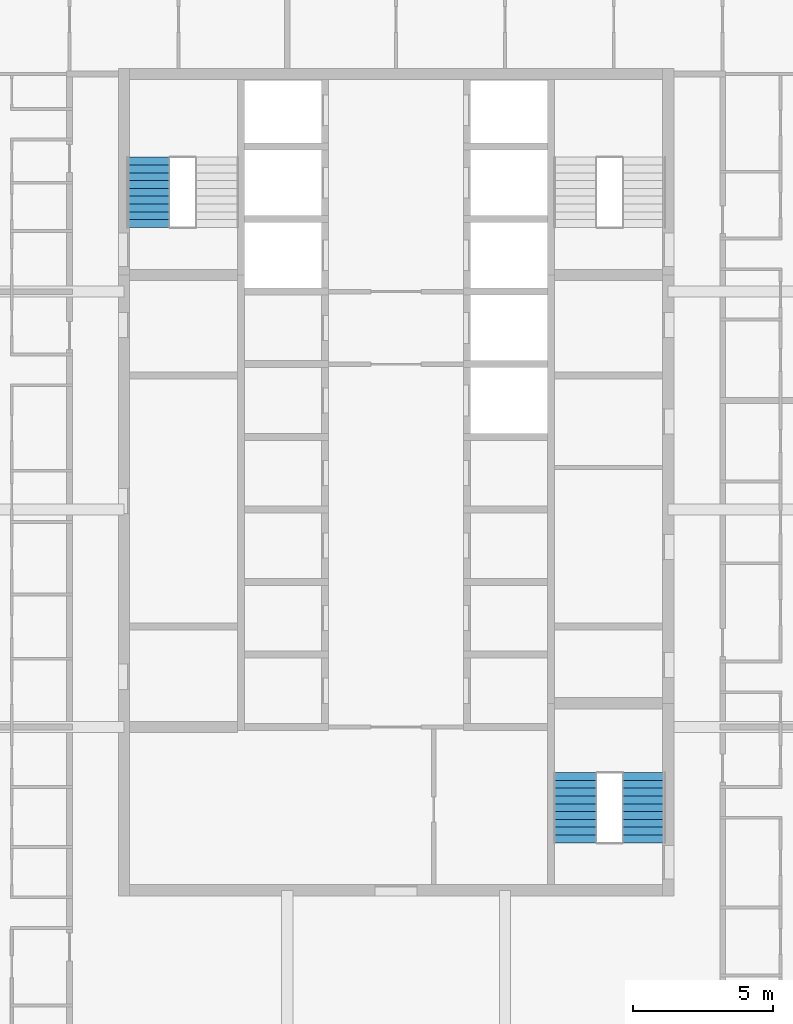
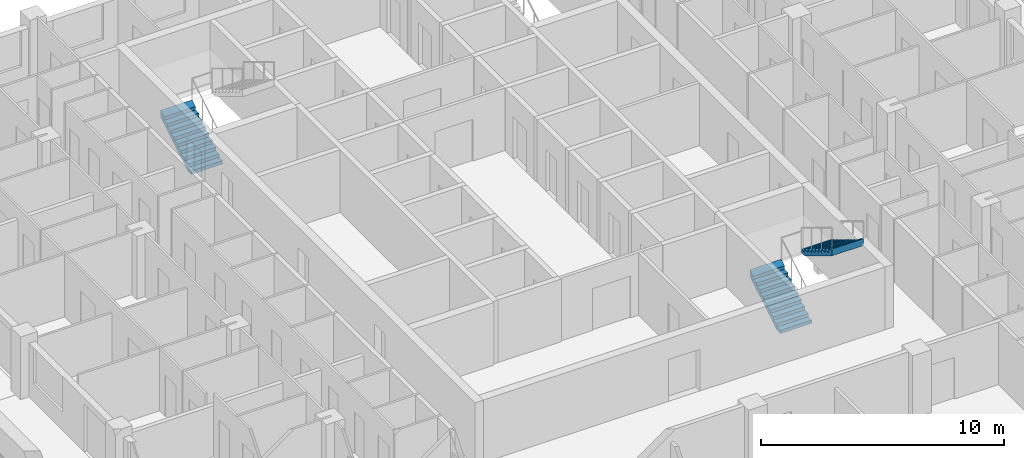
# One storey, part 13 of 17: 3 stair flights, 2 elements without a shape of their own.
"""IFC4 building model written with IfcOpenShell, lengths in metres."""

import ifcopenshell
import ifcopenshell.guid

model = None  # the IFC model being written
_history = None  # IfcOwnerHistory: only IFC2X3 demands one
_inside = {}  # id of a spatial element -> (the spatial element, [elements in it])
_under = {}  # id of a project, library or spatial element -> (it, [spatial elements below it])
_declared = {}  # id of a project -> (the project, [libraries it declares])
_typed = {}  # id of a type object -> (the type object, [elements of that type])
_made_of = {}  # id of a material, layer set ... -> (it, [elements and type objects made of it])


def new_model(schema):
    """Start an empty IFC model of exactly this schema.

    Asked for "IFC4X3", IfcOpenShell would pick the latest addendum, in which some entities
    have other attributes; the version numbers below select the first issue.
    IFC2X3 requires an IfcOwnerHistory on every rooted entity: one is made here for all.
    """
    global model, _history
    if schema == "IFC4X3":
        model = ifcopenshell.file(schema_version=(4, 3, 0, 0))
    else:
        model = ifcopenshell.file(schema=schema)
    _inside.clear()
    _under.clear()
    _declared.clear()
    _typed.clear()
    _made_of.clear()
    _history = None
    if model.schema == "IFC2X3":
        org = make("IfcOrganization", Name="unknown")
        user = make(
            "IfcPersonAndOrganization",
            ThePerson=make("IfcPerson", FamilyName="unknown"),
            TheOrganization=org,
        )
        app = make(
            "IfcApplication",
            ApplicationDeveloper=org,
            Version="unknown",
            ApplicationFullName="unknown",
            ApplicationIdentifier="unknown",
        )
        _history = make(
            "IfcOwnerHistory",
            OwningUser=user,
            OwningApplication=app,
            ChangeAction="ADDED",
            CreationDate=0,
        )
    return model


def make(cls, **values):
    """One entity of the class cls with the attributes given. An attribute that is None is left unset."""
    return model.create_entity(
        cls, **{name: value for name, value in values.items() if value is not None}
    )


def rooted(cls, **values):
    """An entity with a GlobalId (a new one), such as an element, a storey or a relation."""
    return make(cls, GlobalId=ifcopenshell.guid.new(), OwnerHistory=_history, **values)


def si_unit(unit_type, name, prefix=None):
    """IfcSIUnit, for example si_unit("LENGTHUNIT", "METRE", prefix="MILLI")."""
    return make("IfcSIUnit", UnitType=unit_type, Prefix=prefix, Name=name)


def assignment(units):
    """IfcUnitAssignment: the units of a project."""
    return None if units is None else make("IfcUnitAssignment", Units=units)


def point(xyz):
    """IfcCartesianPoint."""
    return None if xyz is None else make("IfcCartesianPoint", Coordinates=xyz)


def direction(xyz):
    """IfcDirection."""
    return None if xyz is None else make("IfcDirection", DirectionRatios=xyz)


def frame(location, z_axis=None, x_axis=None):
    """IfcAxis2Placement3D, a coordinate frame: its origin and axes. An axis left out is left unset."""
    return make(
        "IfcAxis2Placement3D",
        Location=point(location),
        Axis=direction(z_axis),
        RefDirection=direction(x_axis),
    )


def origin():
    """The frame at (0, 0, 0) with its axes left unset."""
    return frame((0.0, 0.0, 0.0))


def place(relative_to, where):
    """IfcLocalPlacement: puts the frame where relative to a parent placement (None: the world)."""
    return make(
        "IfcLocalPlacement", PlacementRelTo=relative_to, RelativePlacement=where
    )


def context(
    kind, dimensions, precision=None, world=None, true_north=None, identifier=None
):
    """IfcGeometricRepresentationContext, for example the 3D "Model" context."""
    return make(
        "IfcGeometricRepresentationContext",
        ContextIdentifier=identifier,
        ContextType=kind,
        CoordinateSpaceDimension=dimensions,
        Precision=precision,
        WorldCoordinateSystem=world,
        TrueNorth=true_north,
    )


def subcontext(parent, identifier, kind, view, scale=None):
    """IfcGeometricRepresentationSubContext, for example "Body" below "Model"."""
    return make(
        "IfcGeometricRepresentationSubContext",
        ContextIdentifier=identifier,
        ContextType=kind,
        ParentContext=parent,
        TargetScale=scale,
        TargetView=view,
    )


def project(units=None, contexts=None):
    """IfcProject with its units and contexts."""
    return rooted(
        "IfcProject",
        Name="project",
        RepresentationContexts=contexts,
        UnitsInContext=assignment(units),
    )


def spatial(cls, under=None, at=None, **own):
    """A site, building, storey or space (cls), placed at a placement, below another one or the project."""
    s = rooted(cls, ObjectPlacement=at, **own)
    if under is not None:
        _under.setdefault(under.id(), (under, []))[1].append(s)
    return s


def point_list(points):
    """IfcCartesianPointList2D or 3D."""
    cls = (
        "IfcCartesianPointList2D" if len(points[0]) == 2 else "IfcCartesianPointList3D"
    )
    return make(cls, CoordList=points)


def triangles(points, corners, closed=None, point_numbers=None):
    """IfcTriangulatedFaceSet: each triangle names its three corners, points numbered from 1."""
    return make(
        "IfcTriangulatedFaceSet",
        Coordinates=point_list(points),
        Closed=closed,
        CoordIndex=corners,
        PnIndex=point_numbers,
    )


def shape(context_of_items, identifier, shape_type, items):
    """IfcShapeRepresentation: the items that make up one representation, for example the "Body"."""
    return make(
        "IfcShapeRepresentation",
        ContextOfItems=context_of_items,
        RepresentationIdentifier=identifier,
        RepresentationType=shape_type,
        Items=items,
    )


def material(Name=None, Category=None):
    """IfcMaterial."""
    return make("IfcMaterial", Name=Name, Category=Category)


def made_of(thing, what):
    """Note that an element or type object is made of a material, layer set ...; save() writes the relation."""
    if what is not None:
        _made_of.setdefault(what.id(), (what, []))[1].append(thing)
    return thing


def type_object(cls, material=None, **own):
    """A type object (cls), such as IfcWallType, which elements share."""
    return made_of(rooted(cls, **own), material)


def element(
    cls,
    number,
    at=None,
    inside=None,
    cuts=None,
    type_object=None,
    material=None,
    context=None,
    identifier="Body",
    shape_type=None,
    held_by="IfcProductDefinitionShape",
    body=None,
    shapes=None,
    **own,
):
    """One element of the class cls, such as IfcWall. Its Tag is "e" and its number.

    at: its placement. inside: the storey or other place that contains it. cuts: it is an
    opening in that element (IfcRelVoidsElement). A single representation is given by context,
    identifier, shape_type and body (its items); several are given by shapes. held_by: the class
    of the entity that holds the representations. save() writes the other relations.
    """
    e = rooted(cls, Tag="e%d" % number, ObjectPlacement=at, **own)
    if body is not None:
        shapes = [shape(context, identifier, shape_type, body)]
    if shapes is not None:
        e.Representation = make(held_by, Representations=shapes)
    if inside is not None:
        _inside.setdefault(inside.id(), (inside, []))[1].append(e)
    if cuts is not None:
        rooted(
            "IfcRelVoidsElement", RelatingBuildingElement=cuts, RelatedOpeningElement=e
        )
    if type_object is not None:
        _typed.setdefault(type_object.id(), (type_object, []))[1].append(e)
    return made_of(e, material)


def aggregate(whole, parts):
    """IfcRelAggregates: a whole, such as a stair, and the parts it consists of."""
    return rooted("IfcRelAggregates", RelatingObject=whole, RelatedObjects=parts)


def save(model, path):
    """Write the relations noted so far, then the file.

    IfcRelAggregates (storeys below a building ...), IfcRelContainedInSpatialStructure (elements
    in a storey), IfcRelDefinesByType, IfcRelAssociatesMaterial and IfcRelDeclares: one each for
    every whole, place, type object, material and project.
    """
    for whole, parts in _under.values():
        aggregate(whole, parts)
    for where, things in _inside.values():
        rooted(
            "IfcRelContainedInSpatialStructure",
            RelatedElements=things,
            RelatingStructure=where,
        )
    for kind, things in _typed.values():
        rooted("IfcRelDefinesByType", RelatedObjects=things, RelatingType=kind)
    for what, things in _made_of.values():
        rooted("IfcRelAssociatesMaterial", RelatedObjects=things, RelatingMaterial=what)
    for by, libraries in _declared.values():
        rooted("IfcRelDeclares", RelatingContext=by, RelatedDefinitions=libraries)
    model.write(path)


model = new_model("IFC4")

# Units and contexts
model_context = context("Model", 3, precision=1e-05, world=origin(), true_north=direction((0.0, 1.0)))
body_context = subcontext(model_context, "Body", "Model", "MODEL_VIEW")
ifc_project = project(units=[si_unit("LENGTHUNIT", "METRE"), si_unit("AREAUNIT", "SQUARE_METRE"), si_unit("VOLUMEUNIT", "CUBIC_METRE"), si_unit("PLANEANGLEUNIT", "RADIAN"), si_unit("MASSUNIT", "GRAM", prefix="KILO")], contexts=[model_context])

# Site, building, storey
site_placement = place(None, origin())
site = spatial("IfcSite", under=ifc_project, at=site_placement, CompositionType="ELEMENT")
building_placement = place(site_placement, origin())
building = spatial("IfcBuilding", under=site, at=building_placement, Name="Ludao Terraces", CompositionType="ELEMENT")
storey_placement = place(building_placement, frame((0.0, 0.0, 210.89990234375)))
storey = spatial("IfcBuildingStorey", under=building, at=storey_placement, Name="L57", CompositionType="ELEMENT", Elevation=210.89990234375)

# Stair, stair flight
ifc_material = material(Name="Concrete C40", Category="concrete")
stair_type = type_object("IfcStairType", Name="INT Stair", PredefinedType="HALF_TURN_STAIR", material=ifc_material)
stair_1_placement = place(storey_placement, origin())
stair_1 = element("IfcStair", 1, at=stair_1_placement, inside=storey, type_object=stair_type, Name="EXIT STAIR 1", PredefinedType="HALF_TURN_STAIR")
stair_flight_type = type_object("IfcStairFlightType", Name="INT Stair flight", PredefinedType="STRAIGHT", material=ifc_material)
stair_flight_1_placement = place(storey_placement, frame((76.125, 79.0, 0.0), z_axis=(0.0, 0.0, 1.0), x_axis=(0.0, 1.0, 0.0)))
stair_flight_1 = element("IfcStairFlight", 2, at=stair_flight_1_placement, type_object=stair_flight_type, Name="ST1 flight 1", NumberOfRisers=10, NumberOfTreads=9, PredefinedType="STRAIGHT", RiserHeight=0.17, TreadLength=0.28, context=body_context, shape_type="Tessellation", body=[
    triangles([(0.0, -0.75, 0.0), (0.0, -0.5, 0.0), (0.0, -0.25, 0.0), (0.0, 0.0, 0.0), (0.0, 0.25, 0.0), (0.0, 0.5, 0.0), (0.0, 0.75, 0.0), (0.0, -0.75, 0.169921875), (0.0, -0.5, 0.169921875), (0.0, -0.25, 0.169921875), (0.0, 0.0, 0.169921875), (0.0, 0.25, 0.169921875), (0.0, 0.5, 0.169921875), (0.0, 0.75, 0.169921875), (0.280029296875, -0.75, 0.169921875), (0.280029296875, -0.5, 0.169921875), (0.280029296875, -0.25, 0.169921875), (0.280029296875, 0.0, 0.169921875), (0.280029296875, 0.25, 0.169921875), (0.280029296875, 0.5, 0.169921875), (0.280029296875, 0.75, 0.169921875), (0.280029296875, -0.75, 0.340087890625), (0.280029296875, -0.5, 0.340087890625), (0.280029296875, -0.25, 0.340087890625), (0.280029296875, 0.0, 0.340087890625), (0.280029296875, 0.25, 0.340087890625), (0.280029296875, 0.5, 0.340087890625), (0.280029296875, 0.75, 0.340087890625), (0.56005859375, -0.75, 0.340087890625), (0.56005859375, -0.5, 0.340087890625), (0.56005859375, -0.25, 0.340087890625), (0.56005859375, 0.0, 0.340087890625), (0.56005859375, 0.25, 0.340087890625), (0.56005859375, 0.5, 0.340087890625), (0.56005859375, 0.75, 0.340087890625), (0.56005859375, -0.75, 0.510009765625), (0.56005859375, -0.5, 0.510009765625), (0.56005859375, -0.25, 0.510009765625), (0.56005859375, 0.0, 0.510009765625), (0.56005859375, 0.25, 0.510009765625), (0.56005859375, 0.5, 0.510009765625), (0.56005859375, 0.75, 0.510009765625), (0.840087890625, -0.75, 0.510009765625), (0.840087890625, -0.5, 0.510009765625), (0.840087890625, -0.25, 0.510009765625), (0.840087890625, 0.0, 0.510009765625), (0.840087890625, 0.25, 0.510009765625), (0.840087890625, 0.5, 0.510009765625), (0.840087890625, 0.75, 0.510009765625), (0.840087890625, -0.75, 0.679931640625), (0.840087890625, -0.5, 0.679931640625), (0.840087890625, -0.25, 0.679931640625), (0.840087890625, 0.0, 0.679931640625), (0.840087890625, 0.25, 0.679931640625), (0.840087890625, 0.5, 0.679931640625), (0.840087890625, 0.75, 0.679931640625), (1.1201171875, -0.75, 0.679931640625), (1.1201171875, -0.5, 0.679931640625), (1.1201171875, -0.25, 0.679931640625), (1.1201171875, 0.0, 0.679931640625), (1.1201171875, 0.25, 0.679931640625), (1.1201171875, 0.5, 0.679931640625), (1.1201171875, 0.75, 0.679931640625), (1.1201171875, -0.75, 0.85009765625), (1.1201171875, -0.5, 0.85009765625), (1.1201171875, -0.25, 0.85009765625), (1.1201171875, 0.0, 0.85009765625), (1.1201171875, 0.25, 0.85009765625), (1.1201171875, 0.5, 0.85009765625), (1.1201171875, 0.75, 0.85009765625), (1.39990234375, -0.75, 0.85009765625), (1.39990234375, -0.5, 0.85009765625), (1.39990234375, -0.25, 0.85009765625), (1.39990234375, 0.0, 0.85009765625), (1.39990234375, 0.25, 0.85009765625), (1.39990234375, 0.5, 0.85009765625), (1.39990234375, 0.75, 0.85009765625), (1.39990234375, -0.75, 1.02001953125), (1.39990234375, -0.5, 1.02001953125), (1.39990234375, -0.25, 1.02001953125), (1.39990234375, 0.0, 1.02001953125), (1.39990234375, 0.25, 1.02001953125), (1.39990234375, 0.5, 1.02001953125), (1.39990234375, 0.75, 1.02001953125), (1.679931640625, -0.75, 1.02001953125), (1.679931640625, -0.5, 1.02001953125), (1.679931640625, -0.25, 1.02001953125), (1.679931640625, 0.0, 1.02001953125), (1.679931640625, 0.25, 1.02001953125), (1.679931640625, 0.5, 1.02001953125), (1.679931640625, 0.75, 1.02001953125), (1.679931640625, -0.75, 1.18994140625), (1.679931640625, -0.5, 1.18994140625), (1.679931640625, -0.25, 1.18994140625), (1.679931640625, 0.0, 1.18994140625), (1.679931640625, 0.25, 1.18994140625), (1.679931640625, 0.5, 1.18994140625), (1.679931640625, 0.75, 1.18994140625), (1.9599609375, -0.75, 1.18994140625), (1.9599609375, -0.5, 1.18994140625), (1.9599609375, -0.25, 1.18994140625), (1.9599609375, 0.0, 1.18994140625), (1.9599609375, 0.25, 1.18994140625), (1.9599609375, 0.5, 1.18994140625), (1.9599609375, 0.75, 1.18994140625), (1.9599609375, -0.75, 1.360107421875), (1.9599609375, -0.5, 1.360107421875), (1.9599609375, -0.25, 1.360107421875), (1.9599609375, 0.0, 1.360107421875), (1.9599609375, 0.25, 1.360107421875), (1.9599609375, 0.5, 1.360107421875), (1.9599609375, 0.75, 1.360107421875), (2.239990234375, -0.75, 1.360107421875), (2.239990234375, -0.5, 1.360107421875), (2.239990234375, -0.25, 1.360107421875), (2.239990234375, 0.0, 1.360107421875), (2.239990234375, 0.25, 1.360107421875), (2.239990234375, 0.5, 1.360107421875), (2.239990234375, 0.75, 1.360107421875), (2.239990234375, -0.75, 1.530029296875), (2.239990234375, -0.5, 1.530029296875), (2.239990234375, -0.25, 1.530029296875), (2.239990234375, 0.0, 1.530029296875), (2.239990234375, 0.25, 1.530029296875), (2.239990234375, 0.5, 1.530029296875), (2.239990234375, 0.75, 1.530029296875), (2.52001953125, -0.75, 1.699951171875), (2.52001953125, -0.5, 1.699951171875), (2.52001953125, -0.25, 1.699951171875), (2.52001953125, 0.0, 1.699951171875), (2.52001953125, 0.25, 1.699951171875), (2.52001953125, 0.5, 1.699951171875), (2.52001953125, 0.75, 1.699951171875), (2.52001953125, -0.75, 1.354736328125), (2.52001953125, -0.5, 1.354736328125), (2.52001953125, -0.25, 1.354736328125), (2.52001953125, 0.0, 1.354736328125), (2.52001953125, 0.25, 1.354736328125), (2.52001953125, 0.5, 1.354736328125), (2.52001953125, 0.75, 1.354736328125), (0.288818359375, -0.75, 0.0), (0.288818359375, -0.5, 0.0), (0.288818359375, -0.25, 0.0), (0.288818359375, 0.0, 0.0), (0.288818359375, 0.25, 0.0), (0.288818359375, 0.5, 0.0), (0.288818359375, 0.75, 0.0)], [[1, 141, 134], [7, 140, 147], [134, 127, 120], [140, 126, 133], [134, 120, 113], [140, 119, 126], [134, 113, 106], [140, 112, 119], [134, 106, 99], [140, 105, 112], [99, 92, 85], [105, 91, 98], [134, 99, 85], [140, 91, 105], [85, 78, 71], [91, 77, 84], [134, 85, 71], [140, 77, 91], [71, 64, 57], [77, 63, 70], [134, 71, 57], [140, 63, 77], [57, 50, 43], [63, 49, 56], [134, 57, 43], [140, 49, 63], [43, 36, 29], [49, 35, 42], [134, 43, 29], [140, 35, 49], [29, 22, 15], [35, 21, 28], [134, 29, 15], [140, 21, 35], [1, 134, 15], [7, 21, 140], [15, 8, 1], [21, 7, 14], [1, 9, 2], [1, 8, 9], [2, 10, 3], [2, 9, 10], [3, 11, 4], [3, 10, 11], [4, 12, 5], [4, 11, 12], [5, 13, 6], [5, 12, 13], [6, 14, 7], [6, 13, 14], [8, 16, 9], [8, 15, 16], [9, 17, 10], [9, 16, 17], [10, 18, 11], [10, 17, 18], [11, 19, 12], [11, 18, 19], [12, 20, 13], [12, 19, 20], [13, 21, 14], [13, 20, 21], [15, 23, 16], [15, 22, 23], [16, 24, 17], [16, 23, 24], [17, 25, 18], [17, 24, 25], [18, 26, 19], [18, 25, 26], [19, 27, 20], [19, 26, 27], [20, 28, 21], [20, 27, 28], [22, 30, 23], [22, 29, 30], [23, 31, 24], [23, 30, 31], [24, 32, 25], [24, 31, 32], [25, 33, 26], [25, 32, 33], [26, 34, 27], [26, 33, 34], [27, 35, 28], [27, 34, 35], [29, 37, 30], [29, 36, 37], [30, 38, 31], [30, 37, 38], [31, 39, 32], [31, 38, 39], [32, 40, 33], [32, 39, 40], [33, 41, 34], [33, 40, 41], [34, 42, 35], [34, 41, 42], [36, 44, 37], [36, 43, 44], [37, 45, 38], [37, 44, 45], [38, 46, 39], [38, 45, 46], [39, 47, 40], [39, 46, 47], [40, 48, 41], [40, 47, 48], [41, 49, 42], [41, 48, 49], [43, 51, 44], [43, 50, 51], [44, 52, 45], [44, 51, 52], [45, 53, 46], [45, 52, 53], [46, 54, 47], [46, 53, 54], [47, 55, 48], [47, 54, 55], [48, 56, 49], [48, 55, 56], [50, 58, 51], [50, 57, 58], [51, 59, 52], [51, 58, 59], [52, 60, 53], [52, 59, 60], [53, 61, 54], [53, 60, 61], [54, 62, 55], [54, 61, 62], [55, 63, 56], [55, 62, 63], [57, 65, 58], [57, 64, 65], [58, 66, 59], [58, 65, 66], [59, 67, 60], [59, 66, 67], [60, 68, 61], [60, 67, 68], [61, 69, 62], [61, 68, 69], [62, 70, 63], [62, 69, 70], [64, 72, 65], [64, 71, 72], [65, 73, 66], [65, 72, 73], [66, 74, 67], [66, 73, 74], [67, 75, 68], [67, 74, 75], [68, 76, 69], [68, 75, 76], [69, 77, 70], [69, 76, 77], [71, 79, 72], [71, 78, 79], [72, 80, 73], [72, 79, 80], [73, 81, 74], [73, 80, 81], [74, 82, 75], [74, 81, 82], [75, 83, 76], [75, 82, 83], [76, 84, 77], [76, 83, 84], [78, 86, 79], [78, 85, 86], [79, 87, 80], [79, 86, 87], [80, 88, 81], [80, 87, 88], [81, 89, 82], [81, 88, 89], [82, 90, 83], [82, 89, 90], [83, 91, 84], [83, 90, 91], [85, 93, 86], [85, 92, 93], [86, 94, 87], [86, 93, 94], [87, 95, 88], [87, 94, 95], [88, 96, 89], [88, 95, 96], [89, 97, 90], [89, 96, 97], [90, 98, 91], [90, 97, 98], [92, 100, 93], [92, 99, 100], [93, 101, 94], [93, 100, 101], [94, 102, 95], [94, 101, 102], [95, 103, 96], [95, 102, 103], [96, 104, 97], [96, 103, 104], [97, 105, 98], [97, 104, 105], [99, 107, 100], [99, 106, 107], [100, 108, 101], [100, 107, 108], [101, 109, 102], [101, 108, 109], [102, 110, 103], [102, 109, 110], [103, 111, 104], [103, 110, 111], [104, 112, 105], [104, 111, 112], [106, 114, 107], [106, 113, 114], [107, 115, 108], [107, 114, 115], [108, 116, 109], [108, 115, 116], [109, 117, 110], [109, 116, 117], [110, 118, 111], [110, 117, 118], [111, 119, 112], [111, 118, 119], [113, 121, 114], [113, 120, 121], [114, 122, 115], [114, 121, 122], [115, 123, 116], [115, 122, 123], [116, 124, 117], [116, 123, 124], [117, 125, 118], [117, 124, 125], [118, 126, 119], [118, 125, 126], [120, 128, 121], [120, 127, 128], [121, 129, 122], [121, 128, 129], [122, 130, 123], [122, 129, 130], [123, 131, 124], [123, 130, 131], [124, 132, 125], [124, 131, 132], [125, 133, 126], [125, 132, 133], [127, 135, 128], [127, 134, 135], [128, 136, 129], [128, 135, 136], [129, 137, 130], [129, 136, 137], [130, 138, 131], [130, 137, 138], [131, 139, 132], [131, 138, 139], [132, 140, 133], [132, 139, 140], [134, 142, 135], [134, 141, 142], [135, 143, 136], [135, 142, 143], [136, 144, 137], [136, 143, 144], [137, 145, 138], [137, 144, 145], [138, 146, 139], [138, 145, 146], [139, 147, 140], [139, 146, 147], [141, 2, 142], [141, 1, 2], [142, 3, 143], [142, 2, 3], [143, 4, 144], [143, 3, 4], [144, 5, 145], [144, 4, 5], [145, 6, 146], [145, 5, 6], [146, 7, 147], [146, 6, 7]], closed=True),
])
aggregate(stair_1, [stair_flight_1])

# Stair, stair flights
stair_2_placement = place(storey_placement, origin())
stair_2 = element("IfcStair", 3, at=stair_2_placement, inside=storey, type_object=stair_type, Name="EXIT STAIR 3", PredefinedType="HALF_TURN_STAIR")
stair_flight_2_placement = place(storey_placement, frame((91.425048828125, 56.949951171875, 0.0), z_axis=(0.0, 0.0, 1.0), x_axis=(0.0, 1.0, 0.0)))
stair_flight_2 = element("IfcStairFlight", 4, at=stair_flight_2_placement, type_object=stair_flight_type, Name="ST3 flight 1", NumberOfRisers=10, NumberOfTreads=9, PredefinedType="STRAIGHT", RiserHeight=0.17, TreadLength=0.28, context=body_context, shape_type="Tessellation", body=[
    triangles([(0.0, -0.75, 0.0), (0.0, -0.5, 0.0), (0.0, -0.25, 0.0), (0.0, 0.0, 0.0), (0.0, 0.25, 0.0), (0.0, 0.5, 0.0), (0.0, 0.75, 0.0), (0.0, -0.75, 0.169921875), (0.0, -0.5, 0.169921875), (0.0, -0.25, 0.169921875), (0.0, 0.0, 0.169921875), (0.0, 0.25, 0.169921875), (0.0, 0.5, 0.169921875), (0.0, 0.75, 0.169921875), (0.280029296875, -0.75, 0.169921875), (0.280029296875, -0.5, 0.169921875), (0.280029296875, -0.25, 0.169921875), (0.280029296875, 0.0, 0.169921875), (0.280029296875, 0.25, 0.169921875), (0.280029296875, 0.5, 0.169921875), (0.280029296875, 0.75, 0.169921875), (0.280029296875, -0.75, 0.340087890625), (0.280029296875, -0.5, 0.340087890625), (0.280029296875, -0.25, 0.340087890625), (0.280029296875, 0.0, 0.340087890625), (0.280029296875, 0.25, 0.340087890625), (0.280029296875, 0.5, 0.340087890625), (0.280029296875, 0.75, 0.340087890625), (0.56005859375, -0.75, 0.340087890625), (0.56005859375, -0.5, 0.340087890625), (0.56005859375, -0.25, 0.340087890625), (0.56005859375, 0.0, 0.340087890625), (0.56005859375, 0.25, 0.340087890625), (0.56005859375, 0.5, 0.340087890625), (0.56005859375, 0.75, 0.340087890625), (0.56005859375, -0.75, 0.510009765625), (0.56005859375, -0.5, 0.510009765625), (0.56005859375, -0.25, 0.510009765625), (0.56005859375, 0.0, 0.510009765625), (0.56005859375, 0.25, 0.510009765625), (0.56005859375, 0.5, 0.510009765625), (0.56005859375, 0.75, 0.510009765625), (0.840087890625, -0.75, 0.510009765625), (0.840087890625, -0.5, 0.510009765625), (0.840087890625, -0.25, 0.510009765625), (0.840087890625, 0.0, 0.510009765625), (0.840087890625, 0.25, 0.510009765625), (0.840087890625, 0.5, 0.510009765625), (0.840087890625, 0.75, 0.510009765625), (0.840087890625, -0.75, 0.679931640625), (0.840087890625, -0.5, 0.679931640625), (0.840087890625, -0.25, 0.679931640625), (0.840087890625, 0.0, 0.679931640625), (0.840087890625, 0.25, 0.679931640625), (0.840087890625, 0.5, 0.679931640625), (0.840087890625, 0.75, 0.679931640625), (1.1201171875, -0.75, 0.679931640625), (1.1201171875, -0.5, 0.679931640625), (1.1201171875, -0.25, 0.679931640625), (1.1201171875, 0.0, 0.679931640625), (1.1201171875, 0.25, 0.679931640625), (1.1201171875, 0.5, 0.679931640625), (1.1201171875, 0.75, 0.679931640625), (1.1201171875, -0.75, 0.85009765625), (1.1201171875, -0.5, 0.85009765625), (1.1201171875, -0.25, 0.85009765625), (1.1201171875, 0.0, 0.85009765625), (1.1201171875, 0.25, 0.85009765625), (1.1201171875, 0.5, 0.85009765625), (1.1201171875, 0.75, 0.85009765625), (1.39990234375, -0.75, 0.85009765625), (1.39990234375, -0.5, 0.85009765625), (1.39990234375, -0.25, 0.85009765625), (1.39990234375, 0.0, 0.85009765625), (1.39990234375, 0.25, 0.85009765625), (1.39990234375, 0.5, 0.85009765625), (1.39990234375, 0.75, 0.85009765625), (1.39990234375, -0.75, 1.02001953125), (1.39990234375, -0.5, 1.02001953125), (1.39990234375, -0.25, 1.02001953125), (1.39990234375, 0.0, 1.02001953125), (1.39990234375, 0.25, 1.02001953125), (1.39990234375, 0.5, 1.02001953125), (1.39990234375, 0.75, 1.02001953125), (1.679931640625, -0.75, 1.02001953125), (1.679931640625, -0.5, 1.02001953125), (1.679931640625, -0.25, 1.02001953125), (1.679931640625, 0.0, 1.02001953125), (1.679931640625, 0.25, 1.02001953125), (1.679931640625, 0.5, 1.02001953125), (1.679931640625, 0.75, 1.02001953125), (1.679931640625, -0.75, 1.18994140625), (1.679931640625, -0.5, 1.18994140625), (1.679931640625, -0.25, 1.18994140625), (1.679931640625, 0.0, 1.18994140625), (1.679931640625, 0.25, 1.18994140625), (1.679931640625, 0.5, 1.18994140625), (1.679931640625, 0.75, 1.18994140625), (1.9599609375, -0.75, 1.18994140625), (1.9599609375, -0.5, 1.18994140625), (1.9599609375, -0.25, 1.18994140625), (1.9599609375, 0.0, 1.18994140625), (1.9599609375, 0.25, 1.18994140625), (1.9599609375, 0.5, 1.18994140625), (1.9599609375, 0.75, 1.18994140625), (1.9599609375, -0.75, 1.360107421875), (1.9599609375, -0.5, 1.360107421875), (1.9599609375, -0.25, 1.360107421875), (1.9599609375, 0.0, 1.360107421875), (1.9599609375, 0.25, 1.360107421875), (1.9599609375, 0.5, 1.360107421875), (1.9599609375, 0.75, 1.360107421875), (2.239990234375, -0.75, 1.360107421875), (2.239990234375, -0.5, 1.360107421875), (2.239990234375, -0.25, 1.360107421875), (2.239990234375, 0.0, 1.360107421875), (2.239990234375, 0.25, 1.360107421875), (2.239990234375, 0.5, 1.360107421875), (2.239990234375, 0.75, 1.360107421875), (2.239990234375, -0.75, 1.530029296875), (2.239990234375, -0.5, 1.530029296875), (2.239990234375, -0.25, 1.530029296875), (2.239990234375, 0.0, 1.530029296875), (2.239990234375, 0.25, 1.530029296875), (2.239990234375, 0.5, 1.530029296875), (2.239990234375, 0.75, 1.530029296875), (2.52001953125, -0.75, 1.699951171875), (2.52001953125, -0.5, 1.699951171875), (2.52001953125, -0.25, 1.699951171875), (2.52001953125, 0.0, 1.699951171875), (2.52001953125, 0.25, 1.699951171875), (2.52001953125, 0.5, 1.699951171875), (2.52001953125, 0.75, 1.699951171875), (2.52001953125, -0.75, 1.354736328125), (2.52001953125, -0.5, 1.354736328125), (2.52001953125, -0.25, 1.354736328125), (2.52001953125, 0.0, 1.354736328125), (2.52001953125, 0.25, 1.354736328125), (2.52001953125, 0.5, 1.354736328125), (2.52001953125, 0.75, 1.354736328125), (0.288818359375, -0.75, 0.0), (0.288818359375, -0.5, 0.0), (0.288818359375, -0.25, 0.0), (0.288818359375, 0.0, 0.0), (0.288818359375, 0.25, 0.0), (0.288818359375, 0.5, 0.0), (0.288818359375, 0.75, 0.0)], [[1, 141, 134], [7, 140, 147], [134, 127, 120], [140, 126, 133], [134, 120, 113], [140, 119, 126], [134, 113, 106], [140, 112, 119], [134, 106, 99], [140, 105, 112], [99, 92, 85], [105, 91, 98], [134, 99, 85], [140, 91, 105], [85, 78, 71], [91, 77, 84], [134, 85, 71], [140, 77, 91], [71, 64, 57], [77, 63, 70], [134, 71, 57], [140, 63, 77], [57, 50, 43], [63, 49, 56], [134, 57, 43], [140, 49, 63], [43, 36, 29], [49, 35, 42], [134, 43, 29], [140, 35, 49], [29, 22, 15], [35, 21, 28], [134, 29, 15], [140, 21, 35], [1, 134, 15], [7, 21, 140], [15, 8, 1], [21, 7, 14], [1, 9, 2], [1, 8, 9], [2, 10, 3], [2, 9, 10], [3, 11, 4], [3, 10, 11], [4, 12, 5], [4, 11, 12], [5, 13, 6], [5, 12, 13], [6, 14, 7], [6, 13, 14], [8, 16, 9], [8, 15, 16], [9, 17, 10], [9, 16, 17], [10, 18, 11], [10, 17, 18], [11, 19, 12], [11, 18, 19], [12, 20, 13], [12, 19, 20], [13, 21, 14], [13, 20, 21], [15, 23, 16], [15, 22, 23], [16, 24, 17], [16, 23, 24], [17, 25, 18], [17, 24, 25], [18, 26, 19], [18, 25, 26], [19, 27, 20], [19, 26, 27], [20, 28, 21], [20, 27, 28], [22, 30, 23], [22, 29, 30], [23, 31, 24], [23, 30, 31], [24, 32, 25], [24, 31, 32], [25, 33, 26], [25, 32, 33], [26, 34, 27], [26, 33, 34], [27, 35, 28], [27, 34, 35], [29, 37, 30], [29, 36, 37], [30, 38, 31], [30, 37, 38], [31, 39, 32], [31, 38, 39], [32, 40, 33], [32, 39, 40], [33, 41, 34], [33, 40, 41], [34, 42, 35], [34, 41, 42], [36, 44, 37], [36, 43, 44], [37, 45, 38], [37, 44, 45], [38, 46, 39], [38, 45, 46], [39, 47, 40], [39, 46, 47], [40, 48, 41], [40, 47, 48], [41, 49, 42], [41, 48, 49], [43, 51, 44], [43, 50, 51], [44, 52, 45], [44, 51, 52], [45, 53, 46], [45, 52, 53], [46, 54, 47], [46, 53, 54], [47, 55, 48], [47, 54, 55], [48, 56, 49], [48, 55, 56], [50, 58, 51], [50, 57, 58], [51, 59, 52], [51, 58, 59], [52, 60, 53], [52, 59, 60], [53, 61, 54], [53, 60, 61], [54, 62, 55], [54, 61, 62], [55, 63, 56], [55, 62, 63], [57, 65, 58], [57, 64, 65], [58, 66, 59], [58, 65, 66], [59, 67, 60], [59, 66, 67], [60, 68, 61], [60, 67, 68], [61, 69, 62], [61, 68, 69], [62, 70, 63], [62, 69, 70], [64, 72, 65], [64, 71, 72], [65, 73, 66], [65, 72, 73], [66, 74, 67], [66, 73, 74], [67, 75, 68], [67, 74, 75], [68, 76, 69], [68, 75, 76], [69, 77, 70], [69, 76, 77], [71, 79, 72], [71, 78, 79], [72, 80, 73], [72, 79, 80], [73, 81, 74], [73, 80, 81], [74, 82, 75], [74, 81, 82], [75, 83, 76], [75, 82, 83], [76, 84, 77], [76, 83, 84], [78, 86, 79], [78, 85, 86], [79, 87, 80], [79, 86, 87], [80, 88, 81], [80, 87, 88], [81, 89, 82], [81, 88, 89], [82, 90, 83], [82, 89, 90], [83, 91, 84], [83, 90, 91], [85, 93, 86], [85, 92, 93], [86, 94, 87], [86, 93, 94], [87, 95, 88], [87, 94, 95], [88, 96, 89], [88, 95, 96], [89, 97, 90], [89, 96, 97], [90, 98, 91], [90, 97, 98], [92, 100, 93], [92, 99, 100], [93, 101, 94], [93, 100, 101], [94, 102, 95], [94, 101, 102], [95, 103, 96], [95, 102, 103], [96, 104, 97], [96, 103, 104], [97, 105, 98], [97, 104, 105], [99, 107, 100], [99, 106, 107], [100, 108, 101], [100, 107, 108], [101, 109, 102], [101, 108, 109], [102, 110, 103], [102, 109, 110], [103, 111, 104], [103, 110, 111], [104, 112, 105], [104, 111, 112], [106, 114, 107], [106, 113, 114], [107, 115, 108], [107, 114, 115], [108, 116, 109], [108, 115, 116], [109, 117, 110], [109, 116, 117], [110, 118, 111], [110, 117, 118], [111, 119, 112], [111, 118, 119], [113, 121, 114], [113, 120, 121], [114, 122, 115], [114, 121, 122], [115, 123, 116], [115, 122, 123], [116, 124, 117], [116, 123, 124], [117, 125, 118], [117, 124, 125], [118, 126, 119], [118, 125, 126], [120, 128, 121], [120, 127, 128], [121, 129, 122], [121, 128, 129], [122, 130, 123], [122, 129, 130], [123, 131, 124], [123, 130, 131], [124, 132, 125], [124, 131, 132], [125, 133, 126], [125, 132, 133], [127, 135, 128], [127, 134, 135], [128, 136, 129], [128, 135, 136], [129, 137, 130], [129, 136, 137], [130, 138, 131], [130, 137, 138], [131, 139, 132], [131, 138, 139], [132, 140, 133], [132, 139, 140], [134, 142, 135], [134, 141, 142], [135, 143, 136], [135, 142, 143], [136, 144, 137], [136, 143, 144], [137, 145, 138], [137, 144, 145], [138, 146, 139], [138, 145, 146], [139, 147, 140], [139, 146, 147], [141, 2, 142], [141, 1, 2], [142, 3, 143], [142, 2, 3], [143, 4, 144], [143, 3, 4], [144, 5, 145], [144, 4, 5], [145, 6, 146], [145, 5, 6], [146, 7, 147], [146, 6, 7]], closed=True),
])
stair_flight_3_placement = place(storey_placement, frame((93.875, 59.469970703125, 1.7001953125), z_axis=(0.0, 0.0, 1.0), x_axis=(0.0, -1.0, 0.0)))
stair_flight_3 = element("IfcStairFlight", 5, at=stair_flight_3_placement, type_object=stair_flight_type, Name="ST3 flight 2", NumberOfRisers=10, NumberOfTreads=9, PredefinedType="STRAIGHT", RiserHeight=0.17, TreadLength=0.28, context=body_context, shape_type="Tessellation", body=[
    triangles([(0.0, -0.75, 0.0), (0.0, -0.5, 0.0), (0.0, -0.25, 0.0), (0.0, 0.0, 0.0), (0.0, 0.25, 0.0), (0.0, 0.5, 0.0), (0.0, 0.75, 0.0), (0.0, -0.75, 0.169921875), (0.0, -0.5, 0.169921875), (0.0, -0.25, 0.169921875), (0.0, 0.0, 0.169921875), (0.0, 0.25, 0.169921875), (0.0, 0.5, 0.169921875), (0.0, 0.75, 0.169921875), (0.280029296875, -0.75, 0.169921875), (0.280029296875, -0.5, 0.169921875), (0.280029296875, -0.25, 0.169921875), (0.280029296875, 0.0, 0.169921875), (0.280029296875, 0.25, 0.169921875), (0.280029296875, 0.5, 0.169921875), (0.280029296875, 0.75, 0.169921875), (0.280029296875, -0.75, 0.340087890625), (0.280029296875, -0.5, 0.340087890625), (0.280029296875, -0.25, 0.340087890625), (0.280029296875, 0.0, 0.340087890625), (0.280029296875, 0.25, 0.340087890625), (0.280029296875, 0.5, 0.340087890625), (0.280029296875, 0.75, 0.340087890625), (0.56005859375, -0.75, 0.340087890625), (0.56005859375, -0.5, 0.340087890625), (0.56005859375, -0.25, 0.340087890625), (0.56005859375, 0.0, 0.340087890625), (0.56005859375, 0.25, 0.340087890625), (0.56005859375, 0.5, 0.340087890625), (0.56005859375, 0.75, 0.340087890625), (0.56005859375, -0.75, 0.510009765625), (0.56005859375, -0.5, 0.510009765625), (0.56005859375, -0.25, 0.510009765625), (0.56005859375, 0.0, 0.510009765625), (0.56005859375, 0.25, 0.510009765625), (0.56005859375, 0.5, 0.510009765625), (0.56005859375, 0.75, 0.510009765625), (0.840087890625, -0.75, 0.510009765625), (0.840087890625, -0.5, 0.510009765625), (0.840087890625, -0.25, 0.510009765625), (0.840087890625, 0.0, 0.510009765625), (0.840087890625, 0.25, 0.510009765625), (0.840087890625, 0.5, 0.510009765625), (0.840087890625, 0.75, 0.510009765625), (0.840087890625, -0.75, 0.679931640625), (0.840087890625, -0.5, 0.679931640625), (0.840087890625, -0.25, 0.679931640625), (0.840087890625, 0.0, 0.679931640625), (0.840087890625, 0.25, 0.679931640625), (0.840087890625, 0.5, 0.679931640625), (0.840087890625, 0.75, 0.679931640625), (1.1201171875, -0.75, 0.679931640625), (1.1201171875, -0.5, 0.679931640625), (1.1201171875, -0.25, 0.679931640625), (1.1201171875, 0.0, 0.679931640625), (1.1201171875, 0.25, 0.679931640625), (1.1201171875, 0.5, 0.679931640625), (1.1201171875, 0.75, 0.679931640625), (1.1201171875, -0.75, 0.85009765625), (1.1201171875, -0.5, 0.85009765625), (1.1201171875, -0.25, 0.85009765625), (1.1201171875, 0.0, 0.85009765625), (1.1201171875, 0.25, 0.85009765625), (1.1201171875, 0.5, 0.85009765625), (1.1201171875, 0.75, 0.85009765625), (1.39990234375, -0.75, 0.85009765625), (1.39990234375, -0.5, 0.85009765625), (1.39990234375, -0.25, 0.85009765625), (1.39990234375, 0.0, 0.85009765625), (1.39990234375, 0.25, 0.85009765625), (1.39990234375, 0.5, 0.85009765625), (1.39990234375, 0.75, 0.85009765625), (1.39990234375, -0.75, 1.02001953125), (1.39990234375, -0.5, 1.02001953125), (1.39990234375, -0.25, 1.02001953125), (1.39990234375, 0.0, 1.02001953125), (1.39990234375, 0.25, 1.02001953125), (1.39990234375, 0.5, 1.02001953125), (1.39990234375, 0.75, 1.02001953125), (1.679931640625, -0.75, 1.02001953125), (1.679931640625, -0.5, 1.02001953125), (1.679931640625, -0.25, 1.02001953125), (1.679931640625, 0.0, 1.02001953125), (1.679931640625, 0.25, 1.02001953125), (1.679931640625, 0.5, 1.02001953125), (1.679931640625, 0.75, 1.02001953125), (1.679931640625, -0.75, 1.18994140625), (1.679931640625, -0.5, 1.18994140625), (1.679931640625, -0.25, 1.18994140625), (1.679931640625, 0.0, 1.18994140625), (1.679931640625, 0.25, 1.18994140625), (1.679931640625, 0.5, 1.18994140625), (1.679931640625, 0.75, 1.18994140625), (1.9599609375, -0.75, 1.18994140625), (1.9599609375, -0.5, 1.18994140625), (1.9599609375, -0.25, 1.18994140625), (1.9599609375, 0.0, 1.18994140625), (1.9599609375, 0.25, 1.18994140625), (1.9599609375, 0.5, 1.18994140625), (1.9599609375, 0.75, 1.18994140625), (1.9599609375, -0.75, 1.360107421875), (1.9599609375, -0.5, 1.360107421875), (1.9599609375, -0.25, 1.360107421875), (1.9599609375, 0.0, 1.360107421875), (1.9599609375, 0.25, 1.360107421875), (1.9599609375, 0.5, 1.360107421875), (1.9599609375, 0.75, 1.360107421875), (2.239990234375, -0.75, 1.360107421875), (2.239990234375, -0.5, 1.360107421875), (2.239990234375, -0.25, 1.360107421875), (2.239990234375, 0.0, 1.360107421875), (2.239990234375, 0.25, 1.360107421875), (2.239990234375, 0.5, 1.360107421875), (2.239990234375, 0.75, 1.360107421875), (2.239990234375, -0.75, 1.530029296875), (2.239990234375, -0.5, 1.530029296875), (2.239990234375, -0.25, 1.530029296875), (2.239990234375, 0.0, 1.530029296875), (2.239990234375, 0.25, 1.530029296875), (2.239990234375, 0.5, 1.530029296875), (2.239990234375, 0.75, 1.530029296875), (2.52001953125, -0.75, 1.699951171875), (2.52001953125, -0.5, 1.699951171875), (2.52001953125, -0.25, 1.699951171875), (2.52001953125, 0.0, 1.699951171875), (2.52001953125, 0.25, 1.699951171875), (2.52001953125, 0.5, 1.699951171875), (2.52001953125, 0.75, 1.699951171875), (2.52001953125, -0.75, 1.354736328125), (2.52001953125, -0.5, 1.354736328125), (2.52001953125, -0.25, 1.354736328125), (2.52001953125, 0.0, 1.354736328125), (2.52001953125, 0.25, 1.354736328125), (2.52001953125, 0.5, 1.354736328125), (2.52001953125, 0.75, 1.354736328125), (0.288818359375, -0.75, 0.0), (0.288818359375, -0.5, 0.0), (0.288818359375, -0.25, 0.0), (0.288818359375, 0.0, 0.0), (0.288818359375, 0.25, 0.0), (0.288818359375, 0.5, 0.0), (0.288818359375, 0.75, 0.0)], [[1, 141, 134], [7, 140, 147], [134, 127, 120], [140, 126, 133], [134, 120, 113], [140, 119, 126], [134, 113, 106], [140, 112, 119], [134, 106, 99], [140, 105, 112], [99, 92, 85], [105, 91, 98], [134, 99, 85], [140, 91, 105], [85, 78, 71], [91, 77, 84], [134, 85, 71], [140, 77, 91], [71, 64, 57], [77, 63, 70], [134, 71, 57], [140, 63, 77], [57, 50, 43], [63, 49, 56], [134, 57, 43], [140, 49, 63], [43, 36, 29], [49, 35, 42], [134, 43, 29], [140, 35, 49], [29, 22, 15], [35, 21, 28], [134, 29, 15], [140, 21, 35], [1, 134, 15], [7, 21, 140], [15, 8, 1], [21, 7, 14], [1, 9, 2], [1, 8, 9], [2, 10, 3], [2, 9, 10], [3, 11, 4], [3, 10, 11], [4, 12, 5], [4, 11, 12], [5, 13, 6], [5, 12, 13], [6, 14, 7], [6, 13, 14], [8, 16, 9], [8, 15, 16], [9, 17, 10], [9, 16, 17], [10, 18, 11], [10, 17, 18], [11, 19, 12], [11, 18, 19], [12, 20, 13], [12, 19, 20], [13, 21, 14], [13, 20, 21], [15, 23, 16], [15, 22, 23], [16, 24, 17], [16, 23, 24], [17, 25, 18], [17, 24, 25], [18, 26, 19], [18, 25, 26], [19, 27, 20], [19, 26, 27], [20, 28, 21], [20, 27, 28], [22, 30, 23], [22, 29, 30], [23, 31, 24], [23, 30, 31], [24, 32, 25], [24, 31, 32], [25, 33, 26], [25, 32, 33], [26, 34, 27], [26, 33, 34], [27, 35, 28], [27, 34, 35], [29, 37, 30], [29, 36, 37], [30, 38, 31], [30, 37, 38], [31, 39, 32], [31, 38, 39], [32, 40, 33], [32, 39, 40], [33, 41, 34], [33, 40, 41], [34, 42, 35], [34, 41, 42], [36, 44, 37], [36, 43, 44], [37, 45, 38], [37, 44, 45], [38, 46, 39], [38, 45, 46], [39, 47, 40], [39, 46, 47], [40, 48, 41], [40, 47, 48], [41, 49, 42], [41, 48, 49], [43, 51, 44], [43, 50, 51], [44, 52, 45], [44, 51, 52], [45, 53, 46], [45, 52, 53], [46, 54, 47], [46, 53, 54], [47, 55, 48], [47, 54, 55], [48, 56, 49], [48, 55, 56], [50, 58, 51], [50, 57, 58], [51, 59, 52], [51, 58, 59], [52, 60, 53], [52, 59, 60], [53, 61, 54], [53, 60, 61], [54, 62, 55], [54, 61, 62], [55, 63, 56], [55, 62, 63], [57, 65, 58], [57, 64, 65], [58, 66, 59], [58, 65, 66], [59, 67, 60], [59, 66, 67], [60, 68, 61], [60, 67, 68], [61, 69, 62], [61, 68, 69], [62, 70, 63], [62, 69, 70], [64, 72, 65], [64, 71, 72], [65, 73, 66], [65, 72, 73], [66, 74, 67], [66, 73, 74], [67, 75, 68], [67, 74, 75], [68, 76, 69], [68, 75, 76], [69, 77, 70], [69, 76, 77], [71, 79, 72], [71, 78, 79], [72, 80, 73], [72, 79, 80], [73, 81, 74], [73, 80, 81], [74, 82, 75], [74, 81, 82], [75, 83, 76], [75, 82, 83], [76, 84, 77], [76, 83, 84], [78, 86, 79], [78, 85, 86], [79, 87, 80], [79, 86, 87], [80, 88, 81], [80, 87, 88], [81, 89, 82], [81, 88, 89], [82, 90, 83], [82, 89, 90], [83, 91, 84], [83, 90, 91], [85, 93, 86], [85, 92, 93], [86, 94, 87], [86, 93, 94], [87, 95, 88], [87, 94, 95], [88, 96, 89], [88, 95, 96], [89, 97, 90], [89, 96, 97], [90, 98, 91], [90, 97, 98], [92, 100, 93], [92, 99, 100], [93, 101, 94], [93, 100, 101], [94, 102, 95], [94, 101, 102], [95, 103, 96], [95, 102, 103], [96, 104, 97], [96, 103, 104], [97, 105, 98], [97, 104, 105], [99, 107, 100], [99, 106, 107], [100, 108, 101], [100, 107, 108], [101, 109, 102], [101, 108, 109], [102, 110, 103], [102, 109, 110], [103, 111, 104], [103, 110, 111], [104, 112, 105], [104, 111, 112], [106, 114, 107], [106, 113, 114], [107, 115, 108], [107, 114, 115], [108, 116, 109], [108, 115, 116], [109, 117, 110], [109, 116, 117], [110, 118, 111], [110, 117, 118], [111, 119, 112], [111, 118, 119], [113, 121, 114], [113, 120, 121], [114, 122, 115], [114, 121, 122], [115, 123, 116], [115, 122, 123], [116, 124, 117], [116, 123, 124], [117, 125, 118], [117, 124, 125], [118, 126, 119], [118, 125, 126], [120, 128, 121], [120, 127, 128], [121, 129, 122], [121, 128, 129], [122, 130, 123], [122, 129, 130], [123, 131, 124], [123, 130, 131], [124, 132, 125], [124, 131, 132], [125, 133, 126], [125, 132, 133], [127, 135, 128], [127, 134, 135], [128, 136, 129], [128, 135, 136], [129, 137, 130], [129, 136, 137], [130, 138, 131], [130, 137, 138], [131, 139, 132], [131, 138, 139], [132, 140, 133], [132, 139, 140], [134, 142, 135], [134, 141, 142], [135, 143, 136], [135, 142, 143], [136, 144, 137], [136, 143, 144], [137, 145, 138], [137, 144, 145], [138, 146, 139], [138, 145, 146], [139, 147, 140], [139, 146, 147], [141, 2, 142], [141, 1, 2], [142, 3, 143], [142, 2, 3], [143, 4, 144], [143, 3, 4], [144, 5, 145], [144, 4, 5], [145, 6, 146], [145, 5, 6], [146, 7, 147], [146, 6, 7]], closed=True),
])
aggregate(stair_2, [stair_flight_2, stair_flight_3])

save(model, "model.ifc")
